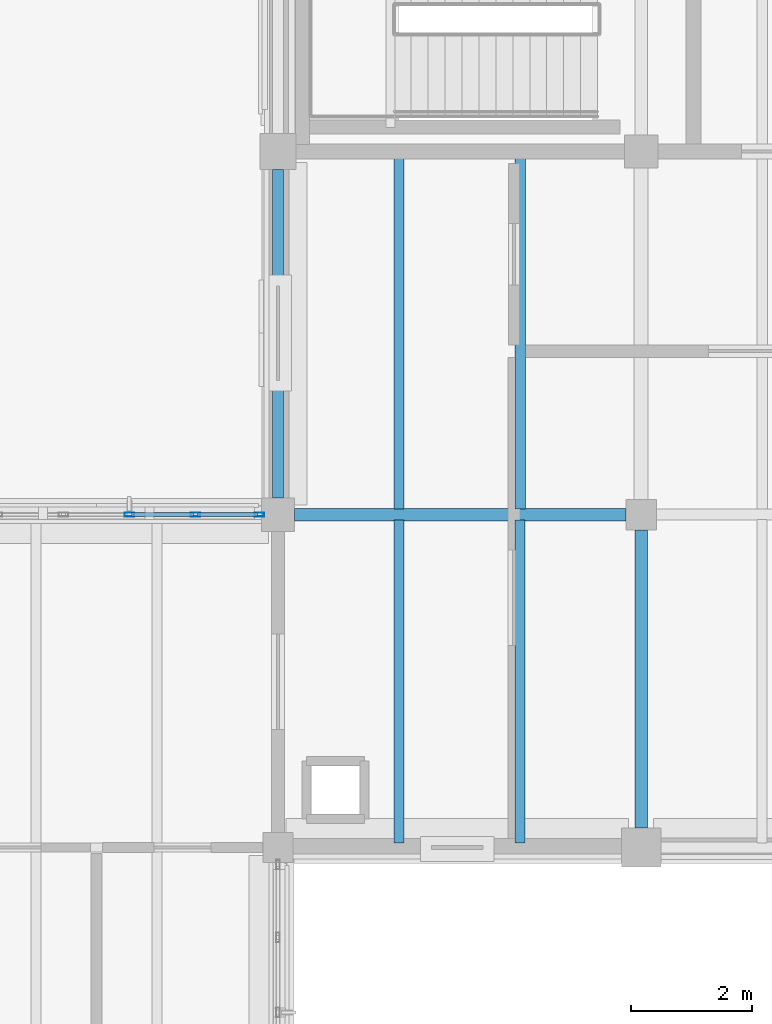
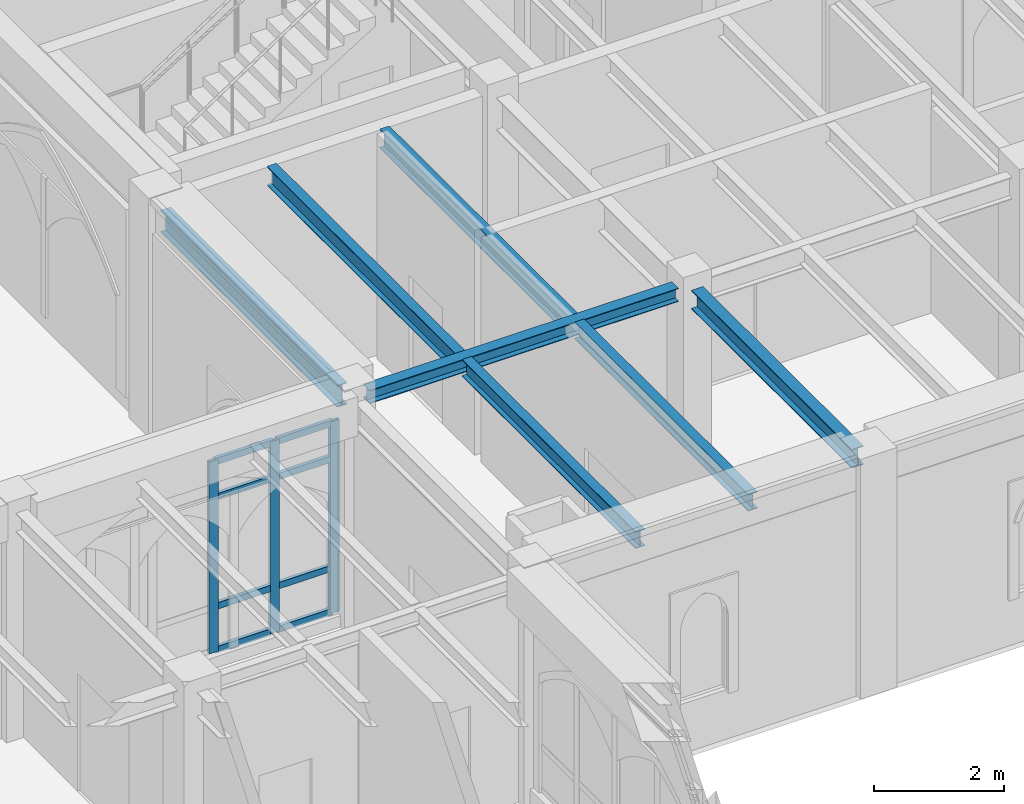
# One storey, part 47 of 127: 11 members, 7 beams, 1 element without a shape of its own.
"""IFC4 building model written with IfcOpenShell, lengths in metres."""

from ifc_helpers import new_model, si_unit, direction, frame, origin, origin_2d, place, context, subcontext, project, spatial, hollow_rectangle, i_section, extrude, material, layer, layer_set, material_profile, profile_set, type_object, element, aggregate, save


model = new_model("IFC4")

# Units and contexts
model_context = context("Model", 3, precision=1e-05, world=origin(), true_north=direction((0.0, 1.0)))
body_context = subcontext(model_context, "Body", "Model", "MODEL_VIEW")
ifc_project = project(units=[si_unit("LENGTHUNIT", "METRE"), si_unit("AREAUNIT", "SQUARE_METRE"), si_unit("VOLUMEUNIT", "CUBIC_METRE"), si_unit("PLANEANGLEUNIT", "RADIAN"), si_unit("MASSUNIT", "GRAM", prefix="KILO")], contexts=[model_context])

# Site, building, storey
site_placement = place(None, origin())
site = spatial("IfcSite", under=ifc_project, at=site_placement, CompositionType="ELEMENT")
building_placement = place(site_placement, origin())
building = spatial("IfcBuilding", under=site, at=building_placement, Name="Cumevento Cable Car Station", CompositionType="ELEMENT")
storey_placement = place(building_placement, frame((0.0, 0.0, 4.5)))
storey = spatial("IfcBuildingStorey", under=building, at=storey_placement, Name="L02", CompositionType="ELEMENT", Elevation=4.5)

# Curtain wall, members
ifc_material_1 = material(Name="Anodised Bronze Aluminium AW-6063-T6", Category="aluminium")
ifc_layer = layer(ifc_material_1, 0.166015625)
ifc_layer_set = layer_set([ifc_layer], Name="Anodised Bronze Aluminium AW-6063-T6")
curtain_wall_type = type_object("IfcCurtainWallType", Name="Lancet Curtain Wall CW-02 1090", PredefinedType="NOTDEFINED", material=ifc_layer_set)
curtain_wall_placement = place(storey_placement, origin())
curtain_wall = element("IfcCurtainWall", 1, at=curtain_wall_placement, inside=storey, type_object=curtain_wall_type, Name="Lancet Curtain Wall CW-02 L02 #33", PredefinedType="NOTDEFINED")
ifc_material_2 = material(Name="Anodised Bronze Aluminium AW-6063-T6", Category="aluminium")
ifc_material_profile_1 = material_profile(ifc_material_2, hollow_rectangle(XDim=0.06494140625, YDim=0.159912109375, WallThickness=0.00390625, at=origin_2d()), Name="ALUM65x160x4")
ifc_profile_set_1 = profile_set([ifc_material_profile_1], Name="Anodised Bronze Aluminium AW-6063-T6")
member_type_1 = type_object("IfcMemberType", Name="Curtain Mullion CWM-01 ALUM65x160x4", PredefinedType="MULLION", material=ifc_profile_set_1)
member_1_placement = place(storey_placement, frame((115.544921875, 15.0, 0.2099609375), z_axis=(0.0, 0.0, 1.0), x_axis=(0.0, 1.0, 0.0)))
member_1 = element("IfcMember", 2, at=member_1_placement, type_object=member_type_1, Name="CW-02 mullion 4", PredefinedType="MULLION", context=body_context, shape_type="SweptSolid", body=[
    extrude(hollow_rectangle(XDim=0.06494140625, YDim=0.159912109375, WallThickness=0.00390625, at=origin_2d()), origin(), (0.0, 0.0, 1.0), 3.59912109375),
])
member_2_placement = place(storey_placement, frame((116.635009765625, 15.0, 0.2099609375), z_axis=(0.0, 0.0, 1.0), x_axis=(0.0, 1.0, 0.0)))
member_2 = element("IfcMember", 3, at=member_2_placement, type_object=member_type_1, Name="CW-02 mullion 5", PredefinedType="MULLION", context=body_context, shape_type="SweptSolid", body=[
    extrude(hollow_rectangle(XDim=0.06494140625, YDim=0.159912109375, WallThickness=0.00390625, at=origin_2d()), origin(), (0.0, 0.0, 1.0), 3.59912109375),
])
member_3_placement = place(storey_placement, frame((117.6923828125, 15.0, 0.2099609375), z_axis=(0.0, 0.0, 1.0), x_axis=(0.0, 1.0, 0.0)))
member_3 = element("IfcMember", 4, at=member_3_placement, type_object=member_type_1, Name="CW-02 mullion 6", PredefinedType="MULLION", context=body_context, shape_type="SweptSolid", body=[
    extrude(hollow_rectangle(XDim=0.06494140625, YDim=0.159912109375, WallThickness=0.00390625, at=origin_2d()), origin(), (0.0, 0.0, 1.0), 3.59912109375),
])
ifc_material_3 = material(Name="Anodised Bronze Aluminium AW-6063-T6", Category="aluminium")
ifc_material_profile_2 = material_profile(ifc_material_3, hollow_rectangle(XDim=0.06494140625, YDim=0.1201171875, WallThickness=0.00390625, at=origin_2d()), Name="ALUT65x120x4")
ifc_profile_set_2 = profile_set([ifc_material_profile_2], Name="Anodised Bronze Aluminium AW-6063-T6")
member_type_2 = type_object("IfcMemberType", Name="Curtain Transom CWT-01 ALUT65x120x4", PredefinedType="USERDEFINED", material=ifc_profile_set_2)
member_4_placement = place(storey_placement, frame((115.577392578125, 15.0, 0.242431640625), z_axis=(1.0, 0.0, 0.0), x_axis=(0.0, 1.0, 0.0)))
member_4 = element("IfcMember", 5, at=member_4_placement, type_object=member_type_2, Name="CW-02 transom 4.1", ObjectType="TRANSOM", PredefinedType="USERDEFINED", context=body_context, shape_type="SweptSolid", body=[
    extrude(hollow_rectangle(XDim=0.06494140625, YDim=0.1201171875, WallThickness=0.00390625, at=origin_2d()), origin(), (0.0, 0.0, 1.0), 1.025146484375),
])
member_5_placement = place(storey_placement, frame((115.577392578125, 15.0, 1.06005859375), z_axis=(1.0, 0.0, 0.0), x_axis=(0.0, 1.0, 0.0)))
member_5 = element("IfcMember", 6, at=member_5_placement, type_object=member_type_2, Name="CW-02 transom 4.2", ObjectType="TRANSOM", PredefinedType="USERDEFINED", context=body_context, shape_type="SweptSolid", body=[
    extrude(hollow_rectangle(XDim=0.06494140625, YDim=0.1201171875, WallThickness=0.00390625, at=origin_2d()), origin(), (0.0, 0.0, 1.0), 1.025146484375),
])
member_6_placement = place(storey_placement, frame((115.577392578125, 15.0, 3.10888671875), z_axis=(1.0, 0.0, 0.0), x_axis=(0.0, 1.0, 0.0)))
member_6 = element("IfcMember", 7, at=member_6_placement, type_object=member_type_2, Name="CW-02 transom 4.3", ObjectType="TRANSOM", PredefinedType="USERDEFINED", context=body_context, shape_type="SweptSolid", body=[
    extrude(hollow_rectangle(XDim=0.06494140625, YDim=0.1201171875, WallThickness=0.00390625, at=origin_2d()), origin(), (0.0, 0.0, 1.0), 1.025146484375),
])
member_7_placement = place(storey_placement, frame((115.577392578125, 15.0, 3.776611328125), z_axis=(1.0, 0.0, 0.0), x_axis=(0.0, 1.0, 0.0)))
member_7 = element("IfcMember", 8, at=member_7_placement, type_object=member_type_2, Name="CW-02 transom 4.4", ObjectType="TRANSOM", PredefinedType="USERDEFINED", context=body_context, shape_type="SweptSolid", body=[
    extrude(hollow_rectangle(XDim=0.06494140625, YDim=0.1201171875, WallThickness=0.00390625, at=origin_2d()), origin(), (0.0, 0.0, 1.0), 1.025146484375),
])
member_8_placement = place(storey_placement, frame((116.66748046875, 15.0, 0.242431640625), z_axis=(1.0, 0.0, 0.0), x_axis=(0.0, 1.0, 0.0)))
member_8 = element("IfcMember", 9, at=member_8_placement, type_object=member_type_2, Name="CW-02 transom 5.1", ObjectType="TRANSOM", PredefinedType="USERDEFINED", context=body_context, shape_type="SweptSolid", body=[
    extrude(hollow_rectangle(XDim=0.06494140625, YDim=0.1201171875, WallThickness=0.00390625, at=origin_2d()), origin(), (0.0, 0.0, 1.0), 0.992431640625),
])
member_9_placement = place(storey_placement, frame((116.66748046875, 15.0, 1.06005859375), z_axis=(1.0, 0.0, 0.0), x_axis=(0.0, 1.0, 0.0)))
member_9 = element("IfcMember", 10, at=member_9_placement, type_object=member_type_2, Name="CW-02 transom 5.2", ObjectType="TRANSOM", PredefinedType="USERDEFINED", context=body_context, shape_type="SweptSolid", body=[
    extrude(hollow_rectangle(XDim=0.06494140625, YDim=0.1201171875, WallThickness=0.00390625, at=origin_2d()), origin(), (0.0, 0.0, 1.0), 0.992431640625),
])
member_10_placement = place(storey_placement, frame((116.66748046875, 15.0, 3.10888671875), z_axis=(1.0, 0.0, 0.0), x_axis=(0.0, 1.0, 0.0)))
member_10 = element("IfcMember", 11, at=member_10_placement, type_object=member_type_2, Name="CW-02 transom 5.3", ObjectType="TRANSOM", PredefinedType="USERDEFINED", context=body_context, shape_type="SweptSolid", body=[
    extrude(hollow_rectangle(XDim=0.06494140625, YDim=0.1201171875, WallThickness=0.00390625, at=origin_2d()), origin(), (0.0, 0.0, 1.0), 0.992431640625),
])
member_11_placement = place(storey_placement, frame((116.66748046875, 15.0, 3.776611328125), z_axis=(1.0, 0.0, 0.0), x_axis=(0.0, 1.0, 0.0)))
member_11 = element("IfcMember", 12, at=member_11_placement, type_object=member_type_2, Name="CW-02 transom 5.4", ObjectType="TRANSOM", PredefinedType="USERDEFINED", context=body_context, shape_type="SweptSolid", body=[
    extrude(hollow_rectangle(XDim=0.06494140625, YDim=0.1201171875, WallThickness=0.00390625, at=origin_2d()), origin(), (0.0, 0.0, 1.0), 0.992431640625),
])
aggregate(curtain_wall, [member_1, member_2, member_3, member_4, member_5, member_6, member_7, member_8, member_9, member_10, member_11])

# Beams
ifc_material_4 = material(Name="Steel ASTM A572 Grade 50", Category="steel")
ifc_material_profile_3 = material_profile(ifc_material_4, i_section(OverallWidth=0.205078125, OverallDepth=0.35400390625, WebThickness=0.009521484375, FlangeThickness=0.016845703125, at=origin_2d()), Name="W360x79.0")
ifc_profile_set_3 = profile_set([ifc_material_profile_3], Name="Steel ASTM A572 Grade 50")
beam_type_1 = type_object("IfcBeamType", Name="Structural Beam BM-05 W360x79.0", PredefinedType="BEAM", material=ifc_profile_set_3)
beam_1_placement = place(storey_placement, frame((124.0, 9.824951171875, 4.0390625), z_axis=(0.0, 1.0, 0.0), x_axis=(-1.0, 0.0, 0.0)))
element("IfcBeam", 13, at=beam_1_placement, inside=storey, type_object=beam_type_1, Name="Beam BM-05 L02 #660", PredefinedType="BEAM", context=body_context, shape_type="SweptSolid", body=[
    extrude(i_section(OverallWidth=0.205078125, OverallDepth=0.35400390625, WebThickness=0.009521484375, FlangeThickness=0.016845703125, at=origin_2d()), origin(), (0.0, 0.0, 1.0), 4.925048828125),
])
ifc_material_5 = material(Name="Steel ASTM A572 Grade 50", Category="steel")
ifc_material_profile_4 = material_profile(ifc_material_5, i_section(OverallWidth=0.202880859375, OverallDepth=0.251953125, WebThickness=0.008056640625, FlangeThickness=0.013427734375, at=origin_2d()), Name="W250x58.0")
ifc_profile_set_4 = profile_set([ifc_material_profile_4], Name="Steel ASTM A572 Grade 50")
beam_type_2 = type_object("IfcBeamType", Name="Structural Beam BM-08 W250x58.0", PredefinedType="BEAM", material=ifc_profile_set_4)
beam_2_placement = place(storey_placement, frame((118.27490234375, 15.0, 4.090087890625), z_axis=(1.0, 0.0, 0.0), x_axis=(0.0, 1.0, 0.0)))
element("IfcBeam", 14, at=beam_2_placement, inside=storey, type_object=beam_type_2, Name="Beam BM-08 L02 #653", PredefinedType="BEAM", context=body_context, shape_type="SweptSolid", body=[
    extrude(i_section(OverallWidth=0.202880859375, OverallDepth=0.251953125, WebThickness=0.008056640625, FlangeThickness=0.013427734375, at=origin_2d()), origin(), (0.0, 0.0, 1.0), 5.47509765625),
])
ifc_material_6 = material(Name="Steel ASTM A572 Grade 50", Category="steel")
ifc_material_profile_5 = material_profile(ifc_material_6, i_section(OverallWidth=0.1708984375, OverallDepth=0.35498046875, WebThickness=0.007080078125, FlangeThickness=0.01171875, at=origin_2d()), Name="W360x51.0")
ifc_profile_set_5 = profile_set([ifc_material_profile_5], Name="Steel ASTM A572 Grade 50")
beam_type_3 = type_object("IfcBeamType", Name="Structural Joist JS-01 W360x51.0", PredefinedType="JOIST", material=ifc_profile_set_5)
for number, where, z_axis, x_axis, name in (
    (15, (120.0, 15.089599609375, 4.026611328125), (0.0, 1.0, 0.0), (-1.0, 0.0, 0.0), "Composite Floor Joist JS-01 L02 #867"),
    (16, (122.0, 15.089599609375, 4.026611328125), (0.0, 1.0, 0.0), (-1.0, 0.0, 0.0), "Composite Floor Joist JS-01 L02 #869"),
):
    element("IfcBeam", number, at=place(storey_placement, frame(where, z_axis=z_axis, x_axis=x_axis)), inside=storey, type_object=beam_type_3, Name=name, PredefinedType="JOIST", context=body_context, shape_type="SweptSolid", body=[
        extrude(i_section(OverallWidth=0.1708984375, OverallDepth=0.35498046875, WebThickness=0.007080078125, FlangeThickness=0.01171875, at=origin_2d()), origin(), (0.0, 0.0, 1.0), 5.81689453125),
    ])
ifc_material_7 = material(Name="Steel ASTM A572 Grade 50", Category="steel")
ifc_material_profile_6 = material_profile(ifc_material_7, i_section(OverallWidth=0.1669921875, OverallDepth=0.31689453125, WebThickness=0.007568359375, FlangeThickness=0.01318359375, at=origin_2d()), Name="W310x52.0")
ifc_profile_set_6 = profile_set([ifc_material_profile_6], Name="Steel ASTM A572 Grade 50")
beam_type_4 = type_object("IfcBeamType", Name="Structural Joist JS-02 W310x52.0", PredefinedType="JOIST", material=ifc_profile_set_6)
for number, where, z_axis, x_axis, name in (
    (17, (120.0, 9.576904296875, 4.0576171875), (0.0, 1.0, 0.0), (-1.0, 0.0, 0.0), "Composite Floor Joist JS-02 L02 #866"),
    (18, (122.0, 9.576904296875, 4.0576171875), (0.0, 1.0, 0.0), (-1.0, 0.0, 0.0), "Composite Floor Joist JS-02 L02 #868"),
):
    element("IfcBeam", number, at=place(storey_placement, frame(where, z_axis=z_axis, x_axis=x_axis)), inside=storey, type_object=beam_type_4, Name=name, PredefinedType="JOIST", context=body_context, shape_type="SweptSolid", body=[
        extrude(i_section(OverallWidth=0.1669921875, OverallDepth=0.31689453125, WebThickness=0.007568359375, FlangeThickness=0.01318359375, at=origin_2d()), origin(), (0.0, 0.0, 1.0), 5.33349609375),
    ])
ifc_material_8 = material(Name="Steel ASTM A572 Grade 50", Category="steel")
ifc_material_profile_7 = material_profile(ifc_material_8, i_section(OverallWidth=0.177978515625, OverallDepth=0.406982421875, WebThickness=0.0078125, FlangeThickness=0.0126953125, at=origin_2d()), Name="W410x60.0")
ifc_profile_set_7 = profile_set([ifc_material_profile_7], Name="Steel ASTM A572 Grade 50")
beam_type_5 = type_object("IfcBeamType", Name="Structural Spandrel SP-01 W410x60.0", PredefinedType="SPANDREL", material=ifc_profile_set_7)
beam_3_placement = place(storey_placement, frame((118.0, 15.27490234375, 4.00048828125), z_axis=(0.0, 1.0, 0.0), x_axis=(-1.0, 0.0, 0.0)))
element("IfcBeam", 19, at=beam_3_placement, inside=storey, type_object=beam_type_5, Name="Beam SP-01 L02 #659", PredefinedType="SPANDREL", context=body_context, shape_type="SweptSolid", body=[
    extrude(i_section(OverallWidth=0.177978515625, OverallDepth=0.406982421875, WebThickness=0.0078125, FlangeThickness=0.0126953125, at=origin_2d()), origin(), (0.0, 0.0, 1.0), 5.425048828125),
])

save(model, "model.ifc")
